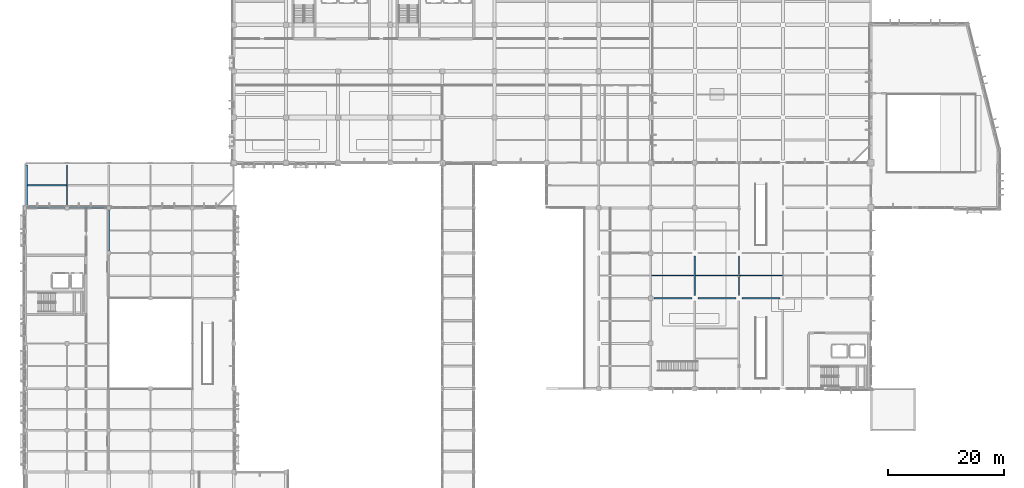
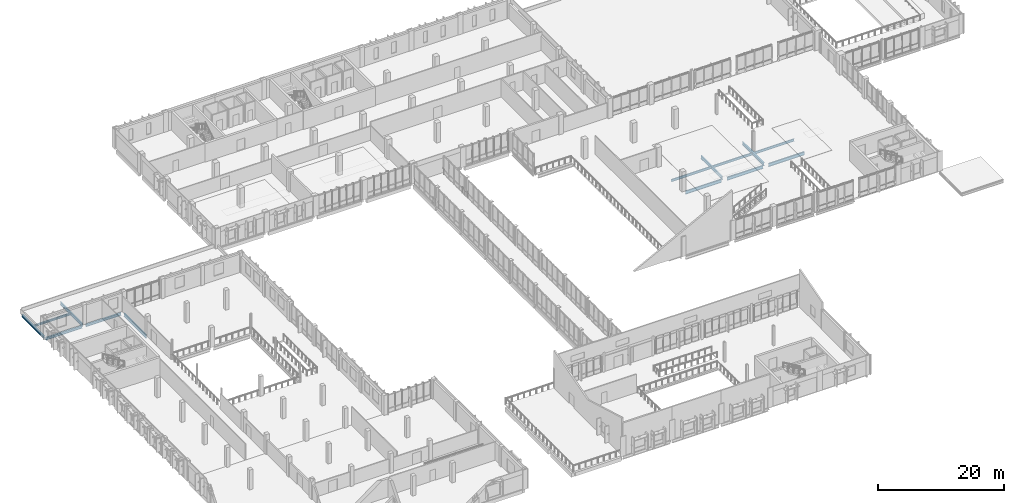
# One storey, part 26 of 85: 14 beams.
"""IFC4 building model written with IfcOpenShell, lengths in metres."""

from ifc_helpers import new_model, si_unit, direction, frame, origin, origin_2d, place, context, subcontext, project, spatial, i_section, extrude, material, material_profile, profile_set, type_object, element, save


model = new_model("IFC4")

# Units and contexts
model_context = context("Model", 3, precision=1e-05, world=origin(), true_north=direction((0.0, 1.0)))
body_context = subcontext(model_context, "Body", "Model", "MODEL_VIEW")
ifc_project = project(units=[si_unit("LENGTHUNIT", "METRE"), si_unit("AREAUNIT", "SQUARE_METRE"), si_unit("VOLUMEUNIT", "CUBIC_METRE"), si_unit("PLANEANGLEUNIT", "RADIAN"), si_unit("MASSUNIT", "GRAM", prefix="KILO")], contexts=[model_context])

# Site, building, storey
site_placement = place(None, origin())
site = spatial("IfcSite", under=ifc_project, at=site_placement, CompositionType="ELEMENT")
building_placement = place(site_placement, origin())
building = spatial("IfcBuilding", under=site, at=building_placement, Name="Vervanel Yard Central Library", CompositionType="ELEMENT")
storey_placement = place(building_placement, frame((0.0, 0.0, 5.10009765625)))
storey = spatial("IfcBuildingStorey", under=building, at=storey_placement, Name="L01", CompositionType="ELEMENT", Elevation=5.10009765625)

# Beams
ifc_material = material(Name="Steel ASTM A992 Grade 50", Category="steel")
ifc_material_profile_1 = material_profile(ifc_material, i_section(OverallWidth=0.25390625, OverallDepth=0.355712890625, WebThickness=0.010498046875, FlangeThickness=0.018310546875, at=origin_2d()), Name="W14X68", Category="steel")
ifc_profile_set_1 = profile_set([ifc_material_profile_1], Name="Steel ASTM A992 Grade 50")
beam_type_1 = type_object("IfcBeamType", Name="Steel Atrium Edge Joist W14X68", PredefinedType="JOIST", material=ifc_profile_set_1)
beam_1_placement = place(storey_placement, frame((0.341064453125, 78.300048828125, -0.432861328125), z_axis=(1.0, 0.0, 0.0), x_axis=(0.0, 1.0, 0.0)))
element("IfcBeam", 1, at=beam_1_placement, inside=storey, type_object=beam_type_1, Name="L01 Floor Joist SJ-06 Y=78.30 X=0.0-7.2", PredefinedType="JOIST", context=body_context, shape_type="SweptSolid", body=[
    extrude(i_section(OverallWidth=0.25390625, OverallDepth=0.355712890625, WebThickness=0.010498046875, FlangeThickness=0.018310546875, at=origin_2d()), origin(), (0.0, 0.0, 1.0), 6.744384765625),
])
ifc_material_profile_2 = material_profile(ifc_material, i_section(OverallWidth=0.22900390625, OverallDepth=0.612060546875, WebThickness=0.011962890625, FlangeThickness=0.01953125, at=origin_2d()), Name="W24X84", Category="steel")
ifc_profile_set_2 = profile_set([ifc_material_profile_2], Name="Steel ASTM A992 Grade 50")
beam_type_2 = type_object("IfcBeamType", Name="Steel Primary Girder W24X84", PredefinedType="BEAM", material=ifc_profile_set_2)
beam_2_placement = place(storey_placement, frame((108.5, 58.800048828125, -0.631103515625), z_axis=(1.0, 0.0, 0.0), x_axis=(0.0, 1.0, 0.0)))
element("IfcBeam", 2, at=beam_2_placement, inside=storey, type_object=beam_type_2, Name="L01 Girder SB-01 Y=58.8 X=108.0-115.6", PredefinedType="BEAM", context=body_context, shape_type="SweptSolid", body=[
    extrude(i_section(OverallWidth=0.22900390625, OverallDepth=0.612060546875, WebThickness=0.011962890625, FlangeThickness=0.01953125, at=origin_2d()), origin(), (0.0, 0.0, 1.0), 6.60009765625),
])
beam_3_placement = place(storey_placement, frame((116.10009765625, 58.800048828125, -0.631103515625), z_axis=(1.0, 0.0, 0.0), x_axis=(0.0, 1.0, 0.0)))
element("IfcBeam", 3, at=beam_3_placement, inside=storey, type_object=beam_type_2, Name="L01 Girder SB-01 Y=58.8 X=115.6-123.2", PredefinedType="BEAM", context=body_context, shape_type="SweptSolid", body=[
    extrude(i_section(OverallWidth=0.22900390625, OverallDepth=0.612060546875, WebThickness=0.011962890625, FlangeThickness=0.01953125, at=origin_2d()), origin(), (0.0, 0.0, 1.0), 6.599853515625),
])
beam_4_placement = place(storey_placement, frame((123.699951171875, 58.800048828125, -0.631103515625), z_axis=(1.0, 0.0, 0.0), x_axis=(0.0, 1.0, 0.0)))
element("IfcBeam", 4, at=beam_4_placement, inside=storey, type_object=beam_type_2, Name="L01 Girder SB-01 Y=58.8 X=123.2-130.8", PredefinedType="BEAM", context=body_context, shape_type="SweptSolid", body=[
    extrude(i_section(OverallWidth=0.22900390625, OverallDepth=0.612060546875, WebThickness=0.011962890625, FlangeThickness=0.01953125, at=origin_2d()), origin(), (0.0, 0.0, 1.0), 6.60009765625),
])
for number, where, z_axis, x_axis, name in (
    (5, (7.199951171875, 74.75, -0.561279296875), (0.0, 1.0, 0.0), (-1.0, 0.0, 0.0), "L01 Girder SB-01 X=7.2 Y=74.4-82.2"),
    (6, (14.39990234375, 66.949951171875, -0.591064453125), (0.0, 1.0, 0.0), (-1.0, 0.0, 0.0), "L01 Girder SB-01 X=14.4 Y=66.6-74.4"),
):
    element("IfcBeam", number, at=place(storey_placement, frame(where, z_axis=z_axis, x_axis=x_axis)), inside=storey, type_object=beam_type_2, Name=name, PredefinedType="BEAM", context=body_context, shape_type="SweptSolid", body=[
        extrude(i_section(OverallWidth=0.22900390625, OverallDepth=0.612060546875, WebThickness=0.011962890625, FlangeThickness=0.01953125, at=origin_2d()), origin(), (0.0, 0.0, 1.0), 7.10009765625),
    ])
for number, where, z_axis, x_axis, name in (
    (7, (115.60009765625, 59.300048828125, -0.631103515625), (0.0, 1.0, 0.0), (-1.0, 0.0, 0.0), "L01 Girder SB-01 X=115.6 Y=58.8-66.6"),
    (8, (123.199951171875, 59.300048828125, -0.631103515625), (0.0, 1.0, 0.0), (-1.0, 0.0, 0.0), "L01 Girder SB-01 X=123.2 Y=58.8-66.6"),
):
    element("IfcBeam", number, at=place(storey_placement, frame(where, z_axis=z_axis, x_axis=x_axis)), inside=storey, type_object=beam_type_2, Name=name, PredefinedType="BEAM", context=body_context, shape_type="SweptSolid", body=[
        extrude(i_section(OverallWidth=0.22900390625, OverallDepth=0.612060546875, WebThickness=0.011962890625, FlangeThickness=0.01953125, at=origin_2d()), origin(), (0.0, 0.0, 1.0), 6.800048828125),
    ])
ifc_material_profile_3 = material_profile(ifc_material, i_section(OverallWidth=0.191162109375, OverallDepth=0.459716796875, WebThickness=0.010009765625, FlangeThickness=0.01611328125, at=origin_2d()), Name="W18X55", Category="steel")
ifc_profile_set_3 = profile_set([ifc_material_profile_3], Name="Steel ASTM A992 Grade 50")
beam_type_3 = type_object("IfcBeamType", Name="Steel Secondary Joist W18X55", PredefinedType="JOIST", material=ifc_profile_set_3)
beam_5_placement = place(storey_placement, frame((108.14111328125, 62.699951171875, -0.554931640625), z_axis=(1.0, 0.0, 0.0), x_axis=(0.0, 1.0, 0.0)))
element("IfcBeam", 9, at=beam_5_placement, inside=storey, type_object=beam_type_3, Name="L01 Floor Joist SJ-03 Y=62.70 X=108.0-115.6", PredefinedType="JOIST", context=body_context, shape_type="SweptSolid", body=[
    extrude(i_section(OverallWidth=0.191162109375, OverallDepth=0.459716796875, WebThickness=0.010009765625, FlangeThickness=0.01611328125, at=origin_2d()), origin(), (0.0, 0.0, 1.0), 7.34423828125),
])
beam_6_placement = place(storey_placement, frame((115.714599609375, 62.699951171875, -0.554931640625), z_axis=(1.0, 0.0, 0.0), x_axis=(0.0, 1.0, 0.0)))
element("IfcBeam", 10, at=beam_6_placement, inside=storey, type_object=beam_type_3, Name="L01 Floor Joist SJ-03 Y=62.70 X=115.6-123.2", PredefinedType="JOIST", context=body_context, shape_type="SweptSolid", body=[
    extrude(i_section(OverallWidth=0.191162109375, OverallDepth=0.459716796875, WebThickness=0.010009765625, FlangeThickness=0.01611328125, at=origin_2d()), origin(), (0.0, 0.0, 1.0), 7.370849609375),
])
beam_7_placement = place(storey_placement, frame((123.314697265625, 62.699951171875, -0.554931640625), z_axis=(1.0, 0.0, 0.0), x_axis=(0.0, 1.0, 0.0)))
element("IfcBeam", 11, at=beam_7_placement, inside=storey, type_object=beam_type_3, Name="L01 Floor Joist SJ-03 Y=62.70 X=123.2-130.8", PredefinedType="JOIST", context=body_context, shape_type="SweptSolid", body=[
    extrude(i_section(OverallWidth=0.191162109375, OverallDepth=0.459716796875, WebThickness=0.010009765625, FlangeThickness=0.01611328125, at=origin_2d()), origin(), (0.0, 0.0, 1.0), 7.37060546875),
])
ifc_material_profile_4 = material_profile(ifc_material, i_section(OverallWidth=0.281982421875, OverallDepth=0.46728515625, WebThickness=0.01220703125, FlangeThickness=0.01953125, at=origin_2d()), Name="W18X86", Category="steel")
ifc_profile_set_4 = profile_set([ifc_material_profile_4], Name="Steel ASTM A992 Grade 50")
beam_type_4 = type_object("IfcBeamType", Name="Steel Spandrel Beam W18X86", PredefinedType="SPANDREL", material=ifc_profile_set_4)
beam_8_placement = place(storey_placement, frame((0.2099609375, 74.39990234375, -0.518798828125), z_axis=(1.0, 0.0, 0.0), x_axis=(0.0, 1.0, 0.0)))
element("IfcBeam", 12, at=beam_8_placement, inside=storey, type_object=beam_type_4, Name="L01 Girder SP-02 Y=74.4 X=0.0-7.2", PredefinedType="SPANDREL", context=body_context, shape_type="SweptSolid", body=[
    extrude(i_section(OverallWidth=0.281982421875, OverallDepth=0.46728515625, WebThickness=0.01220703125, FlangeThickness=0.01953125, at=origin_2d()), origin(), (0.0, 0.0, 1.0), 6.64013671875),
])
beam_9_placement = place(storey_placement, frame((7.550048828125, 74.39990234375, -0.518798828125), z_axis=(1.0, 0.0, 0.0), x_axis=(0.0, 1.0, 0.0)))
element("IfcBeam", 13, at=beam_9_placement, inside=storey, type_object=beam_type_4, Name="L01 Girder SP-02 Y=74.4 X=7.2-14.4", PredefinedType="SPANDREL", context=body_context, shape_type="SweptSolid", body=[
    extrude(i_section(OverallWidth=0.281982421875, OverallDepth=0.46728515625, WebThickness=0.01220703125, FlangeThickness=0.01953125, at=origin_2d()), origin(), (0.0, 0.0, 1.0), 6.5),
])
beam_10_placement = place(storey_placement, frame((0.199951171875, 74.7900390625, -0.48876953125), z_axis=(0.0, 1.0, 0.0), x_axis=(-1.0, 0.0, 0.0)))
element("IfcBeam", 14, at=beam_10_placement, inside=storey, type_object=beam_type_4, Name="L01 Girder SP-02 X=0.0 Y=74.4-82.2", PredefinedType="SPANDREL", context=body_context, shape_type="SweptSolid", body=[
    extrude(i_section(OverallWidth=0.281982421875, OverallDepth=0.46728515625, WebThickness=0.01220703125, FlangeThickness=0.01953125, at=origin_2d()), origin(), (0.0, 0.0, 1.0), 7.050048828125),
])

save(model, "model.ifc")
